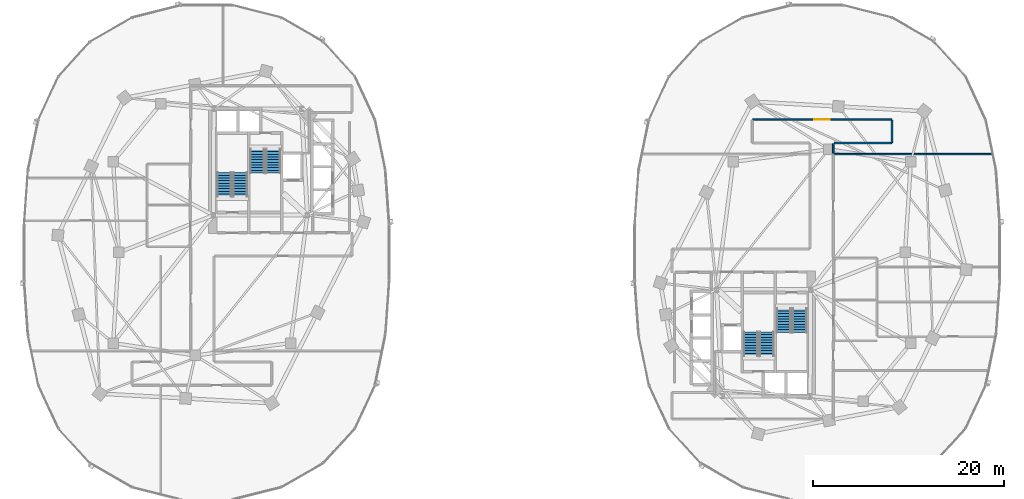
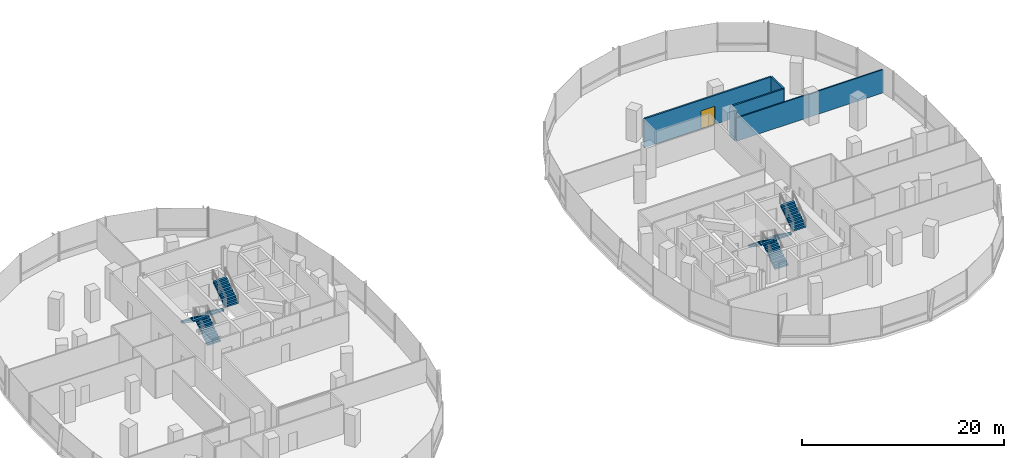
# One storey, part 14 of 21: 8 stair flights, 5 walls, 1 door, 1 opening, 4 elements without a shape of their own.
"""IFC4 building model written with IfcOpenShell, lengths in metres."""

from ifc_helpers import new_model, si_unit, direction, frame, frame_2d, origin, place, context, subcontext, project, spatial, polyline, rectangle, outline, extrude, material, layer, layer_set, type_object, element, fill, aggregate, save


model = new_model("IFC4")

# Units and contexts
model_context = context("Model", 3, precision=1e-05, world=origin(), true_north=direction((0.0, 1.0)))
body_context = subcontext(model_context, "Body", "Model", "MODEL_VIEW")
ifc_project = project(units=[si_unit("LENGTHUNIT", "METRE"), si_unit("AREAUNIT", "SQUARE_METRE"), si_unit("VOLUMEUNIT", "CUBIC_METRE"), si_unit("PLANEANGLEUNIT", "RADIAN"), si_unit("MASSUNIT", "GRAM", prefix="KILO"), si_unit("THERMODYNAMICTEMPERATUREUNIT", "KELVIN"), si_unit("POWERUNIT", "WATT")], contexts=[model_context])

# Site, building, storey
site_placement = place(None, origin())
site = spatial("IfcSite", under=ifc_project, at=site_placement, CompositionType="ELEMENT")
building_placement = place(site_placement, origin())
building = spatial("IfcBuilding", under=site, at=building_placement, Name="Cundina Bronze Exchange", CompositionType="ELEMENT")
storey_placement = place(building_placement, frame((0.0, 0.0, 50.60009765625)))
storey = spatial("IfcBuildingStorey", under=building, at=storey_placement, Name="L12", CompositionType="ELEMENT", Elevation=50.60009765625)

# Wall, opening, door
ifc_material_1 = material(Name="Gypsum Fireboard Partition EI120")
ifc_layer_1 = layer(ifc_material_1, 0.179931640625, Name="Gypsum Fireboard Partition EI120")
ifc_layer_set_1 = layer_set([ifc_layer_1], Name="Gypsum Fireboard Partition EI120")
wall_type_1 = type_object("IfcWallType", Name="WL-COR-180", PredefinedType="PARTITIONING", material=ifc_layer_set_1)
wall_1_placement = place(storey_placement, frame((39.778564453125, 13.919921875, 0.0), z_axis=(0.0, 0.0, 1.0), x_axis=(-1.0, 0.0, 0.0)))
wall_1 = element("IfcWall", 1, at=wall_1_placement, inside=storey, type_object=wall_type_1, Name="L12 Interior Partition 066", PredefinedType="PARTITIONING", context=body_context, shape_type="SweptSolid", body=[
    extrude(rectangle(XDim=14.55712890625, YDim=0.179931640625, at=frame_2d((7.278564453125, 0.0))), origin(), (0.0, 0.0, 1.0), 3.5),
])
opening_placement = place(wall_1_placement, frame((6.478515625, 0.0, 0.0)))
opening = element("IfcOpeningElement", 2, at=opening_placement, cuts=wall_1, Name="Opening DO-02", PredefinedType="OPENING", context=body_context, shape_type="SweptSolid", body=[
    extrude(rectangle(XDim=1.60009765625, YDim=2.199951171875, at=frame_2d((0.800048828125, 1.10009765625))), frame((0.0, 0.099853515625, 0.0), z_axis=(0.0, -1.0, 0.0), x_axis=(1.0, 0.0, 0.0)), (0.0, 0.0, 1.0), 0.199951171875),
])
ifc_material_2 = material(Name="Solid Andean Oak Timber Grade A", Category="wood")
door_type = type_object("IfcDoorType", Name="DR-TRD-1600", OperationType="NOTDEFINED", PredefinedType="DOOR", material=ifc_material_2)
door_placement = place(opening_placement, origin())
door = element("IfcDoor", 3, at=door_placement, inside=storey, type_object=door_type, Name="L12 Interior Door 066", OperationType="SINGLE_SWING_LEFT", OverallHeight=2.199951171875, OverallWidth=1.60009765625, PredefinedType="DOOR", context=body_context, shape_type="SweptSolid", body=[
    extrude(rectangle(XDim=1.60009765625, YDim=2.199951171875, at=frame_2d((0.800048828125, 1.10009765625))), frame((0.0, 0.02490234375, 0.0), z_axis=(0.0, -1.0, 0.0), x_axis=(1.0, 0.0, 0.0)), (0.0, 0.0, 1.0), 0.050048828125),
])
fill(opening, door)

# Walls
wall_2_placement = place(storey_placement, frame((33.75, 11.47998046875, 0.0), z_axis=(0.0, 0.0, 1.0), x_axis=(1.0, 0.0, 0.0)))
element("IfcWall", 4, at=wall_2_placement, inside=storey, type_object=wall_type_1, Name="L12 Interior Partition 067", PredefinedType="PARTITIONING", context=body_context, shape_type="SweptSolid", body=[
    extrude(rectangle(XDim=6.028564453125, YDim=0.179931640625, at=frame_2d((3.01416015625, 0.0))), origin(), (0.0, 0.0, 1.0), 3.5),
])
wall_3_placement = place(storey_placement, frame((39.820068359375, 11.521484375, 0.0), z_axis=(0.0, 0.0, 1.0), x_axis=(0.0, 1.0, 0.0)))
element("IfcWall", 5, at=wall_3_placement, inside=storey, type_object=wall_type_1, Name="L12 Interior Partition 069", PredefinedType="PARTITIONING", context=body_context, shape_type="SweptSolid", body=[
    extrude(rectangle(XDim=2.35693359375, YDim=0.179931640625, at=frame_2d((1.178466796875, 0.0))), origin(), (0.0, 0.0, 1.0), 3.5),
])
wall_4_placement = place(storey_placement, frame((33.669921875, 10.39990234375, 0.0), z_axis=(0.0, 0.0, 1.0), x_axis=(0.0, 1.0, 0.0)))
element("IfcWall", 6, at=wall_4_placement, inside=storey, type_object=wall_type_1, Name="L12 Interior Partition 071", PredefinedType="PARTITIONING", context=body_context, shape_type="SweptSolid", body=[
    extrude(rectangle(XDim=1.0, YDim=0.179931640625, at=frame_2d((0.5, 0.0))), origin(), (0.0, 0.0, 1.0), 3.5),
])
ifc_material_3 = material(Name="Gypsum Acoustic Partition EI60")
ifc_layer_2 = layer(ifc_material_3, 0.14990234375, Name="Gypsum Acoustic Partition EI60")
ifc_layer_set_2 = layer_set([ifc_layer_2], Name="Gypsum Acoustic Partition EI60")
wall_type_2 = type_object("IfcWallType", Name="WL-TEN-150", PredefinedType="PARTITIONING", material=ifc_layer_set_2)
wall_5_placement = place(storey_placement, frame((33.699951171875, 10.31005859375, 0.0), z_axis=(0.0, 0.0, 1.0), x_axis=(1.0, 0.0, 0.0)))
element("IfcWall", 7, at=wall_5_placement, inside=storey, type_object=wall_type_2, Name="L12 Interior Partition 054", PredefinedType="PARTITIONING", context=body_context, shape_type="SweptSolid", body=[
    extrude(rectangle(XDim=16.763671875, YDim=0.14990234375, at=frame_2d((8.3818359375, 0.0))), origin(), (0.0, 0.0, 1.0), 2.804931640625),
])

# Stair, stair flights
ifc_material_4 = material(Name="Concrete C40/50", Category="concrete")
stair_type = type_object("IfcStairType", Name="STR-TRD-380", PredefinedType="HALF_TURN_STAIR", material=ifc_material_4)
stair_1_placement = place(storey_placement, origin())
stair_1 = element("IfcStair", 8, at=stair_1_placement, inside=storey, type_object=stair_type, Name="L12 Smokeproof Exit Stair W1", PredefinedType="HALF_TURN_STAIR")
stair_flight_type = type_object("IfcStairFlightType", Name="FLG-TRD-190", PredefinedType="STRAIGHT", material=ifc_material_4)
stair_flight_1_placement = place(storey_placement, frame((-28.489990234375, 5.85009765625, 0.0), z_axis=(0.0, 0.0, 1.0), x_axis=(0.0, 1.0, 0.0)))
stair_flight_1 = element("IfcStairFlight", 9, at=stair_flight_1_placement, type_object=stair_flight_type, Name="ST-W1 flight 1", NumberOfRisers=10, NumberOfTreads=9, PredefinedType="STRAIGHT", RiserHeight=0.19, TreadLength=0.28, context=body_context, shape_type="SweptSolid", body=[
    extrude(outline(polyline([(0.0, 0.0), (0.0, 0.18994140625), (0.280029296875, 0.18994140625), (0.280029296875, 0.3798828125), (0.56005859375, 0.3798828125), (0.56005859375, 0.570068359375), (0.840087890625, 0.570068359375), (0.840087890625, 0.760009765625), (1.1201171875, 0.760009765625), (1.1201171875, 0.949951171875), (1.39990234375, 0.949951171875), (1.39990234375, 1.139892578125), (1.679931640625, 1.139892578125), (1.679931640625, 1.330078125), (1.9599609375, 1.330078125), (1.9599609375, 1.52001953125), (2.239990234375, 1.52001953125), (2.239990234375, 1.7099609375), (2.52001953125, 1.7099609375), (2.52001953125, 1.89990234375), (2.52001953125, 1.52880859375), (0.266845703125, 0.0), (0.0, 0.0)])), frame((0.0, 0.75, 0.0), z_axis=(0.0, -1.0, 0.0), x_axis=(1.0, 0.0, 0.0)), (0.0, 0.0, 1.0), 1.5),
])
stair_flight_2_placement = place(storey_placement, frame((-30.14990234375, 8.3701171875, 1.89990234375), z_axis=(0.0, 0.0, 1.0), x_axis=(0.0, -1.0, 0.0)))
stair_flight_2 = element("IfcStairFlight", 10, at=stair_flight_2_placement, type_object=stair_flight_type, Name="ST-W1 flight 2", NumberOfRisers=10, NumberOfTreads=9, PredefinedType="STRAIGHT", RiserHeight=0.19, TreadLength=0.28, context=body_context, shape_type="SweptSolid", body=[
    extrude(outline(polyline([(0.0, 0.0), (0.0, 0.18994140625), (0.280029296875, 0.18994140625), (0.280029296875, 0.3798828125), (0.56005859375, 0.3798828125), (0.56005859375, 0.570068359375), (0.840087890625, 0.570068359375), (0.840087890625, 0.760009765625), (1.1201171875, 0.760009765625), (1.1201171875, 0.949951171875), (1.39990234375, 0.949951171875), (1.39990234375, 1.139892578125), (1.679931640625, 1.139892578125), (1.679931640625, 1.330078125), (1.9599609375, 1.330078125), (1.9599609375, 1.52001953125), (2.239990234375, 1.52001953125), (2.239990234375, 1.7099609375), (2.52001953125, 1.7099609375), (2.52001953125, 1.89990234375), (2.52001953125, 1.52880859375), (0.266845703125, 0.0), (0.0, 0.0)])), frame((0.0, 0.75, 0.0), z_axis=(0.0, -1.0, 0.0), x_axis=(1.0, 0.0, 0.0)), (0.0, 0.0, 1.0), 1.5),
])
aggregate(stair_1, [stair_flight_1, stair_flight_2])

stair_2_placement = place(storey_placement, origin())
stair_2 = element("IfcStair", 11, at=stair_2_placement, inside=storey, type_object=stair_type, Name="L12 Smokeproof Exit Stair W2", PredefinedType="HALF_TURN_STAIR")
stair_flight_3_placement = place(storey_placement, frame((-26.68994140625, 10.85009765625, 0.0), z_axis=(0.0, 0.0, 1.0), x_axis=(0.0, -1.0, 0.0)))
stair_flight_3 = element("IfcStairFlight", 12, at=stair_flight_3_placement, type_object=stair_flight_type, Name="ST-W2 flight 1", NumberOfRisers=10, NumberOfTreads=9, PredefinedType="STRAIGHT", RiserHeight=0.19, TreadLength=0.28, context=body_context, shape_type="SweptSolid", body=[
    extrude(outline(polyline([(0.0, 0.0), (0.0, 0.18994140625), (0.280029296875, 0.18994140625), (0.280029296875, 0.3798828125), (0.56005859375, 0.3798828125), (0.56005859375, 0.570068359375), (0.840087890625, 0.570068359375), (0.840087890625, 0.760009765625), (1.1201171875, 0.760009765625), (1.1201171875, 0.949951171875), (1.39990234375, 0.949951171875), (1.39990234375, 1.139892578125), (1.679931640625, 1.139892578125), (1.679931640625, 1.330078125), (1.9599609375, 1.330078125), (1.9599609375, 1.52001953125), (2.239990234375, 1.52001953125), (2.239990234375, 1.7099609375), (2.52001953125, 1.7099609375), (2.52001953125, 1.89990234375), (2.52001953125, 1.52880859375), (0.266845703125, 0.0), (0.0, 0.0)])), frame((0.0, 0.75, 0.0), z_axis=(0.0, -1.0, 0.0), x_axis=(1.0, 0.0, 0.0)), (0.0, 0.0, 1.0), 1.5),
])
stair_flight_4_placement = place(storey_placement, frame((-25.030029296875, 8.330078125, 1.89990234375), z_axis=(0.0, 0.0, 1.0), x_axis=(0.0, 1.0, 0.0)))
stair_flight_4 = element("IfcStairFlight", 13, at=stair_flight_4_placement, type_object=stair_flight_type, Name="ST-W2 flight 2", NumberOfRisers=10, NumberOfTreads=9, PredefinedType="STRAIGHT", RiserHeight=0.19, TreadLength=0.28, context=body_context, shape_type="SweptSolid", body=[
    extrude(outline(polyline([(0.0, 0.0), (0.0, 0.18994140625), (0.280029296875, 0.18994140625), (0.280029296875, 0.3798828125), (0.56005859375, 0.3798828125), (0.56005859375, 0.570068359375), (0.840087890625, 0.570068359375), (0.840087890625, 0.760009765625), (1.1201171875, 0.760009765625), (1.1201171875, 0.949951171875), (1.39990234375, 0.949951171875), (1.39990234375, 1.139892578125), (1.679931640625, 1.139892578125), (1.679931640625, 1.330078125), (1.9599609375, 1.330078125), (1.9599609375, 1.52001953125), (2.239990234375, 1.52001953125), (2.239990234375, 1.7099609375), (2.52001953125, 1.7099609375), (2.52001953125, 1.89990234375), (2.52001953125, 1.52880859375), (0.266845703125, 0.0), (0.0, 0.0)])), frame((0.0, 0.75, 0.0), z_axis=(0.0, -1.0, 0.0), x_axis=(1.0, 0.0, 0.0)), (0.0, 0.0, 1.0), 1.5),
])
aggregate(stair_2, [stair_flight_3, stair_flight_4])

stair_3_placement = place(storey_placement, origin())
stair_3 = element("IfcStair", 14, at=stair_3_placement, inside=storey, type_object=stair_type, Name="L12 Smokeproof Exit Stair E1", PredefinedType="HALF_TURN_STAIR")
stair_flight_5_placement = place(storey_placement, frame((28.489990234375, -5.85009765625, 0.0), z_axis=(0.0, 0.0, 1.0), x_axis=(0.0, -1.0, 0.0)))
stair_flight_5 = element("IfcStairFlight", 15, at=stair_flight_5_placement, type_object=stair_flight_type, Name="ST-E1 flight 1", NumberOfRisers=10, NumberOfTreads=9, PredefinedType="STRAIGHT", RiserHeight=0.19, TreadLength=0.28, context=body_context, shape_type="SweptSolid", body=[
    extrude(outline(polyline([(0.0, 0.0), (0.0, 0.18994140625), (0.280029296875, 0.18994140625), (0.280029296875, 0.3798828125), (0.56005859375, 0.3798828125), (0.56005859375, 0.570068359375), (0.840087890625, 0.570068359375), (0.840087890625, 0.760009765625), (1.1201171875, 0.760009765625), (1.1201171875, 0.949951171875), (1.39990234375, 0.949951171875), (1.39990234375, 1.139892578125), (1.679931640625, 1.139892578125), (1.679931640625, 1.330078125), (1.9599609375, 1.330078125), (1.9599609375, 1.52001953125), (2.239990234375, 1.52001953125), (2.239990234375, 1.7099609375), (2.52001953125, 1.7099609375), (2.52001953125, 1.89990234375), (2.52001953125, 1.52880859375), (0.266845703125, 0.0), (0.0, 0.0)])), frame((0.0, 0.75, 0.0), z_axis=(0.0, -1.0, 0.0), x_axis=(1.0, 0.0, 0.0)), (0.0, 0.0, 1.0), 1.5),
])
stair_flight_6_placement = place(storey_placement, frame((30.14990234375, -8.3701171875, 1.89990234375), z_axis=(0.0, 0.0, 1.0), x_axis=(0.0, 1.0, 0.0)))
stair_flight_6 = element("IfcStairFlight", 16, at=stair_flight_6_placement, type_object=stair_flight_type, Name="ST-E1 flight 2", NumberOfRisers=10, NumberOfTreads=9, PredefinedType="STRAIGHT", RiserHeight=0.19, TreadLength=0.28, context=body_context, shape_type="SweptSolid", body=[
    extrude(outline(polyline([(0.0, 0.0), (0.0, 0.18994140625), (0.280029296875, 0.18994140625), (0.280029296875, 0.3798828125), (0.56005859375, 0.3798828125), (0.56005859375, 0.570068359375), (0.840087890625, 0.570068359375), (0.840087890625, 0.760009765625), (1.1201171875, 0.760009765625), (1.1201171875, 0.949951171875), (1.39990234375, 0.949951171875), (1.39990234375, 1.139892578125), (1.679931640625, 1.139892578125), (1.679931640625, 1.330078125), (1.9599609375, 1.330078125), (1.9599609375, 1.52001953125), (2.239990234375, 1.52001953125), (2.239990234375, 1.7099609375), (2.52001953125, 1.7099609375), (2.52001953125, 1.89990234375), (2.52001953125, 1.52880859375), (0.266845703125, 0.0), (0.0, 0.0)])), frame((0.0, 0.75, 0.0), z_axis=(0.0, -1.0, 0.0), x_axis=(1.0, 0.0, 0.0)), (0.0, 0.0, 1.0), 1.5),
])
aggregate(stair_3, [stair_flight_5, stair_flight_6])

stair_4_placement = place(storey_placement, origin())
stair_4 = element("IfcStair", 17, at=stair_4_placement, inside=storey, type_object=stair_type, Name="L12 Smokeproof Exit Stair E2", PredefinedType="HALF_TURN_STAIR")
stair_flight_7_placement = place(storey_placement, frame((26.68994140625, -10.85009765625, 0.0), z_axis=(0.0, 0.0, 1.0), x_axis=(0.0, 1.0, 0.0)))
stair_flight_7 = element("IfcStairFlight", 18, at=stair_flight_7_placement, type_object=stair_flight_type, Name="ST-E2 flight 1", NumberOfRisers=10, NumberOfTreads=9, PredefinedType="STRAIGHT", RiserHeight=0.19, TreadLength=0.28, context=body_context, shape_type="SweptSolid", body=[
    extrude(outline(polyline([(0.0, 0.0), (0.0, 0.18994140625), (0.280029296875, 0.18994140625), (0.280029296875, 0.3798828125), (0.56005859375, 0.3798828125), (0.56005859375, 0.570068359375), (0.840087890625, 0.570068359375), (0.840087890625, 0.760009765625), (1.1201171875, 0.760009765625), (1.1201171875, 0.949951171875), (1.39990234375, 0.949951171875), (1.39990234375, 1.139892578125), (1.679931640625, 1.139892578125), (1.679931640625, 1.330078125), (1.9599609375, 1.330078125), (1.9599609375, 1.52001953125), (2.239990234375, 1.52001953125), (2.239990234375, 1.7099609375), (2.52001953125, 1.7099609375), (2.52001953125, 1.89990234375), (2.52001953125, 1.52880859375), (0.266845703125, 0.0), (0.0, 0.0)])), frame((0.0, 0.75, 0.0), z_axis=(0.0, -1.0, 0.0), x_axis=(1.0, 0.0, 0.0)), (0.0, 0.0, 1.0), 1.5),
])
stair_flight_8_placement = place(storey_placement, frame((25.030029296875, -8.330078125, 1.89990234375), z_axis=(0.0, 0.0, 1.0), x_axis=(0.0, -1.0, 0.0)))
stair_flight_8 = element("IfcStairFlight", 19, at=stair_flight_8_placement, type_object=stair_flight_type, Name="ST-E2 flight 2", NumberOfRisers=10, NumberOfTreads=9, PredefinedType="STRAIGHT", RiserHeight=0.19, TreadLength=0.28, context=body_context, shape_type="SweptSolid", body=[
    extrude(outline(polyline([(0.0, 0.0), (0.0, 0.18994140625), (0.280029296875, 0.18994140625), (0.280029296875, 0.3798828125), (0.56005859375, 0.3798828125), (0.56005859375, 0.570068359375), (0.840087890625, 0.570068359375), (0.840087890625, 0.760009765625), (1.1201171875, 0.760009765625), (1.1201171875, 0.949951171875), (1.39990234375, 0.949951171875), (1.39990234375, 1.139892578125), (1.679931640625, 1.139892578125), (1.679931640625, 1.330078125), (1.9599609375, 1.330078125), (1.9599609375, 1.52001953125), (2.239990234375, 1.52001953125), (2.239990234375, 1.7099609375), (2.52001953125, 1.7099609375), (2.52001953125, 1.89990234375), (2.52001953125, 1.52880859375), (0.266845703125, 0.0), (0.0, 0.0)])), frame((0.0, 0.75, 0.0), z_axis=(0.0, -1.0, 0.0), x_axis=(1.0, 0.0, 0.0)), (0.0, 0.0, 1.0), 1.5),
])
aggregate(stair_4, [stair_flight_7, stair_flight_8])

save(model, "model.ifc")
